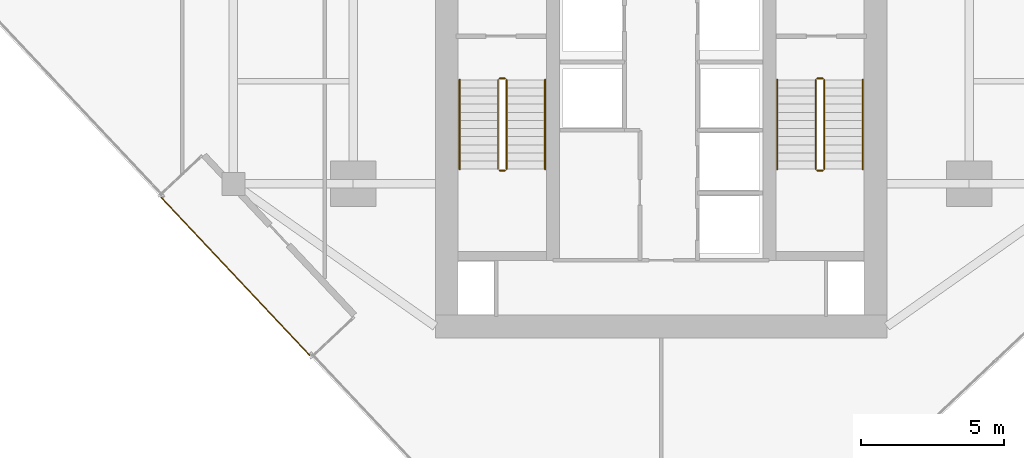
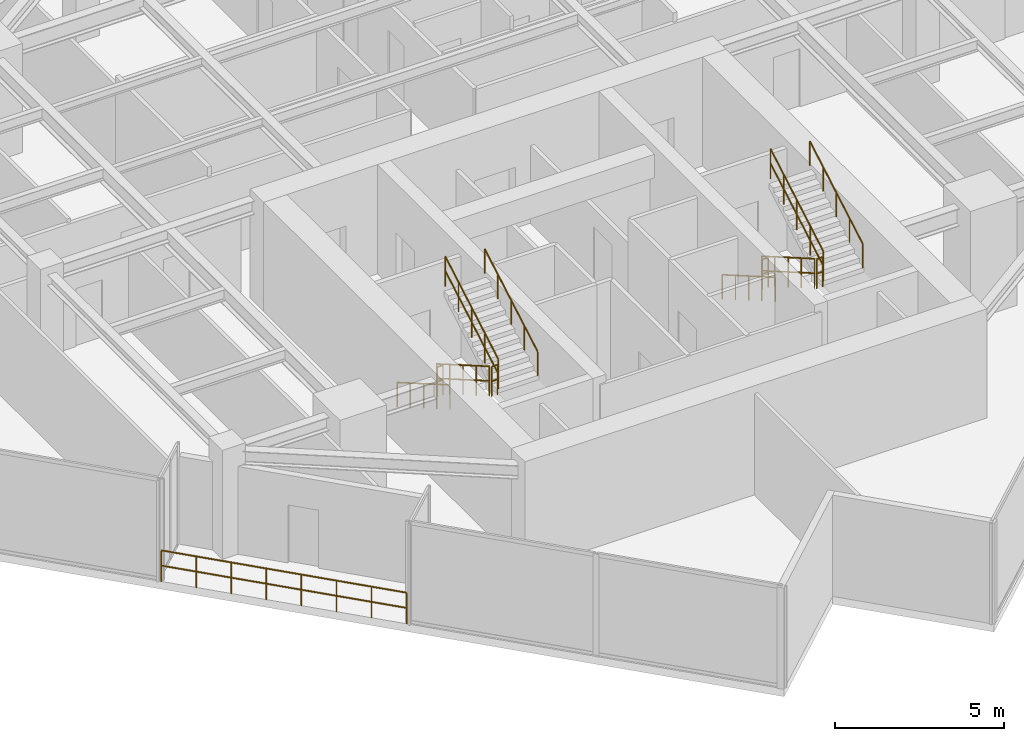
# One storey, part 23 of 24: 13 railings.
"""IFC4 building model written with IfcOpenShell, lengths in metres."""

from ifc_helpers import new_model, si_unit, direction, frame, origin, origin_2d, place, context, subcontext, project, spatial, circle, extrude, material, layer, layer_set, type_object, element, save


model = new_model("IFC4")

# Units and contexts
model_context = context("Model", 3, precision=1e-05, world=origin(), true_north=direction((0.0, 1.0)))
body_context = subcontext(model_context, "Body", "Model", "MODEL_VIEW")
ifc_project = project(units=[si_unit("LENGTHUNIT", "METRE"), si_unit("AREAUNIT", "SQUARE_METRE"), si_unit("VOLUMEUNIT", "CUBIC_METRE"), si_unit("PLANEANGLEUNIT", "RADIAN"), si_unit("MASSUNIT", "GRAM", prefix="KILO")], contexts=[model_context])

# Site, building, storey
site_placement = place(None, origin())
site = spatial("IfcSite", under=ifc_project, at=site_placement, CompositionType="ELEMENT")
building_placement = place(site_placement, origin())
building = spatial("IfcBuilding", under=site, at=building_placement, Name="Krantzveldt Concourse Tower", CompositionType="ELEMENT")
storey_placement = place(building_placement, frame((0.0, 0.0, 246.800048828125)))
storey = spatial("IfcBuildingStorey", under=building, at=storey_placement, Name="L60", CompositionType="ELEMENT", Elevation=246.800048828125)

# Railings
ifc_material = material(Name="Stainless steel 316L", Category="steel")
ifc_layer_1 = layer(ifc_material, 0.080078125, Name="Stainless steel 316L", Category="steel")
ifc_layer_set_1 = layer_set([ifc_layer_1], Name="Stainless steel 316L (RL-BALUSTRADE-1150)")
railing_type_1 = type_object("IfcRailingType", Name="RL-BALUSTRADE-1150", PredefinedType="BALUSTRADE", material=ifc_layer_set_1)
railing_1_placement = place(storey_placement, frame((23.672119140625, 9.885986328125, 0.0)))
element("IfcRailing", 1, at=railing_1_placement, inside=storey, type_object=railing_type_1, Name="GD-L60-CTER-01", PredefinedType="BALUSTRADE", context=body_context, shape_type="SweptSolid", body=[
    extrude(circle(Radius=0.02392578125, at=origin_2d()), frame((0.0, 0.0, 1.1259765625), z_axis=(-0.685190329327, 0.728364065971, 0.0), x_axis=(-0.728364065971, -0.685190329327, 0.0)), (0.0, 0.0, 1.0), 7.60009765625),
    extrude(circle(Radius=0.02392578125, at=origin_2d()), frame((0.0, 0.0, 0.574951171875), z_axis=(-0.685190329327, 0.728364065971, 0.0), x_axis=(-0.728364065971, -0.685190329327, 0.0)), (0.0, 0.0, 1.0), 7.60009765625),
    extrude(circle(Radius=0.02099609375, at=origin_2d()), origin(), (0.0, 0.0, 1.0), 1.101806640625),
    extrude(circle(Radius=0.02099609375, at=origin_2d()), frame((-0.743896484375, 0.790771484375, 0.0)), (0.0, 0.0, 1.0), 1.101806640625),
    extrude(circle(Radius=0.02099609375, at=origin_2d()), frame((-1.48779296875, 1.58154296875, 0.0)), (0.0, 0.0, 1.0), 1.101806640625),
    extrude(circle(Radius=0.02099609375, at=origin_2d()), frame((-2.231689453125, 2.372314453125, 0.0)), (0.0, 0.0, 1.0), 1.101806640625),
    extrude(circle(Radius=0.02099609375, at=origin_2d()), frame((-2.975830078125, 3.163330078125, 0.0)), (0.0, 0.0, 1.0), 1.101806640625),
    extrude(circle(Radius=0.02099609375, at=origin_2d()), frame((-3.7197265625, 3.9541015625, 0.0)), (0.0, 0.0, 1.0), 1.101806640625),
    extrude(circle(Radius=0.02099609375, at=origin_2d()), frame((-4.463623046875, 4.744873046875, 0.0)), (0.0, 0.0, 1.0), 1.101806640625),
    extrude(circle(Radius=0.02099609375, at=origin_2d()), frame((-5.20751953125, 5.53564453125, 0.0)), (0.0, 0.0, 1.0), 1.101806640625),
])
ifc_layer_2 = layer(ifc_material, 0.06005859375, Name="Stainless steel 316L", Category="steel")
ifc_layer_set_2 = layer_set([ifc_layer_2], Name="Stainless steel 316L (RL-GUARD-1120)")
railing_type_2 = type_object("IfcRailingType", Name="RL-GUARD-1120", PredefinedType="GUARDRAIL", material=ifc_layer_set_2)
railing_2_placement = place(storey_placement, frame((30.280029296875, 19.550048828125, 0.16455078125)))
element("IfcRailing", 2, at=railing_2_placement, inside=storey, type_object=railing_type_2, Name="L60 ST-1 stair guard 1", PredefinedType="GUARDRAIL", context=body_context, shape_type="SweptSolid", body=[
    extrude(circle(Radius=0.02392578125, at=origin_2d()), frame((0.0, 0.0, 1.076171875), z_axis=(0.0, -0.865989039225, 0.500062979975), x_axis=(1.0, 0.0, 0.0)), (0.0, 0.0, 1.0), 3.6201171875),
    extrude(circle(Radius=0.02392578125, at=origin_2d()), frame((0.0, 0.0, 0.550048828125), z_axis=(0.0, -0.865989039225, 0.500062979975), x_axis=(1.0, 0.0, 0.0)), (0.0, 0.0, 1.0), 3.6201171875),
    extrude(circle(Radius=0.02099609375, at=origin_2d()), origin(), (0.0, 0.0, 1.0), 1.052001953125),
    extrude(circle(Radius=0.02099609375, at=origin_2d()), frame((0.0, -0.78369140625, 0.45263671875)), (0.0, 0.0, 1.0), 1.052001953125),
    extrude(circle(Radius=0.02099609375, at=origin_2d()), frame((0.0, -1.5673828125, 0.9052734375)), (0.0, 0.0, 1.0), 1.052001953125),
    extrude(circle(Radius=0.02099609375, at=origin_2d()), frame((0.0, -2.351318359375, 1.357666015625)), (0.0, 0.0, 1.0), 1.052001953125),
    extrude(circle(Radius=0.02099609375, at=origin_2d()), frame((0.0, -3.135009765625, 1.810302734375)), (0.0, 0.0, 1.0), 1.052001953125),
])
railing_3_placement = place(storey_placement, frame((30.330078125, 16.364990234375, 1.974853515625)))
element("IfcRailing", 3, at=railing_3_placement, inside=storey, type_object=railing_type_2, Name="L60 ST-1 stair guard 2", PredefinedType="GUARDRAIL", context=body_context, shape_type="SweptSolid", body=[
    extrude(circle(Radius=0.02392578125, at=origin_2d()), frame((0.0, 0.0, 1.076171875), z_axis=(1.0, 0.0, 0.0), x_axis=(0.0, 1.0, 0.0)), (0.0, 0.0, 1.0), 0.199951171875),
    extrude(circle(Radius=0.02392578125, at=origin_2d()), frame((0.0, 0.0, 0.550048828125), z_axis=(1.0, 0.0, 0.0), x_axis=(0.0, 1.0, 0.0)), (0.0, 0.0, 1.0), 0.199951171875),
    extrude(circle(Radius=0.02099609375, at=origin_2d()), origin(), (0.0, 0.0, 1.0), 1.052001953125),
    extrude(circle(Radius=0.02099609375, at=origin_2d()), frame((0.199951171875, 0.0, 0.0)), (0.0, 0.0, 1.0), 1.052001953125),
])
railing_4_placement = place(storey_placement, frame((30.580078125, 16.4150390625, 2.1396484375)))
element("IfcRailing", 4, at=railing_4_placement, inside=storey, type_object=railing_type_2, Name="L60 ST-1 stair guard 3", PredefinedType="GUARDRAIL", context=body_context, shape_type="SweptSolid", body=[
    extrude(circle(Radius=0.02392578125, at=origin_2d()), frame((0.0, 0.0, 1.076171875), z_axis=(0.0, 0.865989039225, 0.500062979975), x_axis=(-1.0, 0.0, 0.0)), (0.0, 0.0, 1.0), 3.6201171875),
    extrude(circle(Radius=0.02392578125, at=origin_2d()), frame((0.0, 0.0, 0.550048828125), z_axis=(0.0, 0.865989039225, 0.500062979975), x_axis=(-1.0, 0.0, 0.0)), (0.0, 0.0, 1.0), 3.6201171875),
    extrude(circle(Radius=0.02099609375, at=origin_2d()), origin(), (0.0, 0.0, 1.0), 1.052001953125),
    extrude(circle(Radius=0.02099609375, at=origin_2d()), frame((0.0, 0.78369140625, 0.45263671875)), (0.0, 0.0, 1.0), 1.052001953125),
    extrude(circle(Radius=0.02099609375, at=origin_2d()), frame((0.0, 1.5673828125, 0.9052734375)), (0.0, 0.0, 1.0), 1.052001953125),
    extrude(circle(Radius=0.02099609375, at=origin_2d()), frame((0.0, 2.351318359375, 1.357666015625)), (0.0, 0.0, 1.0), 1.052001953125),
    extrude(circle(Radius=0.02099609375, at=origin_2d()), frame((0.0, 3.135009765625, 1.810302734375)), (0.0, 0.0, 1.0), 1.052001953125),
])
railing_5_placement = place(storey_placement, frame((30.330078125, 19.60009765625, 0.0)))
element("IfcRailing", 5, at=railing_5_placement, inside=storey, type_object=railing_type_2, Name="L60 ST-1 stair guard 4", PredefinedType="GUARDRAIL", context=body_context, shape_type="SweptSolid", body=[
    extrude(circle(Radius=0.02392578125, at=origin_2d()), frame((0.0, 0.0, 1.076171875), z_axis=(1.0, 0.0, 0.0), x_axis=(0.0, 1.0, 0.0)), (0.0, 0.0, 1.0), 0.199951171875),
    extrude(circle(Radius=0.02392578125, at=origin_2d()), frame((0.0, 0.0, 0.550048828125), z_axis=(1.0, 0.0, 0.0), x_axis=(0.0, 1.0, 0.0)), (0.0, 0.0, 1.0), 0.199951171875),
    extrude(circle(Radius=0.02099609375, at=origin_2d()), origin(), (0.0, 0.0, 1.0), 1.052001953125),
    extrude(circle(Radius=0.02099609375, at=origin_2d()), frame((0.199951171875, 0.0, 0.0)), (0.0, 0.0, 1.0), 1.052001953125),
])
railing_6_placement = place(storey_placement, frame((41.419921875, 19.550048828125, 0.16455078125)))
element("IfcRailing", 6, at=railing_6_placement, inside=storey, type_object=railing_type_2, Name="L60 ST-2 stair guard 1", PredefinedType="GUARDRAIL", context=body_context, shape_type="SweptSolid", body=[
    extrude(circle(Radius=0.02392578125, at=origin_2d()), frame((0.0, 0.0, 1.076171875), z_axis=(0.0, -0.865989039225, 0.500062979975), x_axis=(1.0, 0.0, 0.0)), (0.0, 0.0, 1.0), 3.6201171875),
    extrude(circle(Radius=0.02392578125, at=origin_2d()), frame((0.0, 0.0, 0.550048828125), z_axis=(0.0, -0.865989039225, 0.500062979975), x_axis=(1.0, 0.0, 0.0)), (0.0, 0.0, 1.0), 3.6201171875),
    extrude(circle(Radius=0.02099609375, at=origin_2d()), origin(), (0.0, 0.0, 1.0), 1.052001953125),
    extrude(circle(Radius=0.02099609375, at=origin_2d()), frame((0.0, -0.78369140625, 0.45263671875)), (0.0, 0.0, 1.0), 1.052001953125),
    extrude(circle(Radius=0.02099609375, at=origin_2d()), frame((0.0, -1.5673828125, 0.9052734375)), (0.0, 0.0, 1.0), 1.052001953125),
    extrude(circle(Radius=0.02099609375, at=origin_2d()), frame((0.0, -2.351318359375, 1.357666015625)), (0.0, 0.0, 1.0), 1.052001953125),
    extrude(circle(Radius=0.02099609375, at=origin_2d()), frame((0.0, -3.135009765625, 1.810302734375)), (0.0, 0.0, 1.0), 1.052001953125),
])
railing_7_placement = place(storey_placement, frame((41.469970703125, 16.364990234375, 1.974853515625)))
element("IfcRailing", 7, at=railing_7_placement, inside=storey, type_object=railing_type_2, Name="L60 ST-2 stair guard 2", PredefinedType="GUARDRAIL", context=body_context, shape_type="SweptSolid", body=[
    extrude(circle(Radius=0.02392578125, at=origin_2d()), frame((0.0, 0.0, 1.076171875), z_axis=(1.0, 0.0, 0.0), x_axis=(0.0, 1.0, 0.0)), (0.0, 0.0, 1.0), 0.199951171875),
    extrude(circle(Radius=0.02392578125, at=origin_2d()), frame((0.0, 0.0, 0.550048828125), z_axis=(1.0, 0.0, 0.0), x_axis=(0.0, 1.0, 0.0)), (0.0, 0.0, 1.0), 0.199951171875),
    extrude(circle(Radius=0.02099609375, at=origin_2d()), origin(), (0.0, 0.0, 1.0), 1.052001953125),
    extrude(circle(Radius=0.02099609375, at=origin_2d()), frame((0.199951171875, 0.0, 0.0)), (0.0, 0.0, 1.0), 1.052001953125),
])
railing_8_placement = place(storey_placement, frame((41.719970703125, 16.4150390625, 2.1396484375)))
element("IfcRailing", 8, at=railing_8_placement, inside=storey, type_object=railing_type_2, Name="L60 ST-2 stair guard 3", PredefinedType="GUARDRAIL", context=body_context, shape_type="SweptSolid", body=[
    extrude(circle(Radius=0.02392578125, at=origin_2d()), frame((0.0, 0.0, 1.076171875), z_axis=(0.0, 0.865989039225, 0.500062979975), x_axis=(-1.0, 0.0, 0.0)), (0.0, 0.0, 1.0), 3.6201171875),
    extrude(circle(Radius=0.02392578125, at=origin_2d()), frame((0.0, 0.0, 0.550048828125), z_axis=(0.0, 0.865989039225, 0.500062979975), x_axis=(-1.0, 0.0, 0.0)), (0.0, 0.0, 1.0), 3.6201171875),
    extrude(circle(Radius=0.02099609375, at=origin_2d()), origin(), (0.0, 0.0, 1.0), 1.052001953125),
    extrude(circle(Radius=0.02099609375, at=origin_2d()), frame((0.0, 0.78369140625, 0.45263671875)), (0.0, 0.0, 1.0), 1.052001953125),
    extrude(circle(Radius=0.02099609375, at=origin_2d()), frame((0.0, 1.5673828125, 0.9052734375)), (0.0, 0.0, 1.0), 1.052001953125),
    extrude(circle(Radius=0.02099609375, at=origin_2d()), frame((0.0, 2.351318359375, 1.357666015625)), (0.0, 0.0, 1.0), 1.052001953125),
    extrude(circle(Radius=0.02099609375, at=origin_2d()), frame((0.0, 3.135009765625, 1.810302734375)), (0.0, 0.0, 1.0), 1.052001953125),
])
railing_9_placement = place(storey_placement, frame((41.469970703125, 19.60009765625, 0.0)))
element("IfcRailing", 9, at=railing_9_placement, inside=storey, type_object=railing_type_2, Name="L60 ST-2 stair guard 4", PredefinedType="GUARDRAIL", context=body_context, shape_type="SweptSolid", body=[
    extrude(circle(Radius=0.02392578125, at=origin_2d()), frame((0.0, 0.0, 1.076171875), z_axis=(1.0, 0.0, 0.0), x_axis=(0.0, 1.0, 0.0)), (0.0, 0.0, 1.0), 0.199951171875),
    extrude(circle(Radius=0.02392578125, at=origin_2d()), frame((0.0, 0.0, 0.550048828125), z_axis=(1.0, 0.0, 0.0), x_axis=(0.0, 1.0, 0.0)), (0.0, 0.0, 1.0), 0.199951171875),
    extrude(circle(Radius=0.02099609375, at=origin_2d()), origin(), (0.0, 0.0, 1.0), 1.052001953125),
    extrude(circle(Radius=0.02099609375, at=origin_2d()), frame((0.199951171875, 0.0, 0.0)), (0.0, 0.0, 1.0), 1.052001953125),
])
ifc_layer_3 = layer(ifc_material, 0.050048828125, Name="Stainless steel 316L", Category="steel")
ifc_layer_set_3 = layer_set([ifc_layer_3], Name="Stainless steel 316L (RL-HANDRAIL-920)")
railing_type_3 = type_object("IfcRailingType", Name="RL-HANDRAIL-920", PredefinedType="HANDRAIL", material=ifc_layer_set_3)
railing_10_placement = place(storey_placement, frame((28.929931640625, 19.550048828125, 0.16455078125)))
element("IfcRailing", 10, at=railing_10_placement, inside=storey, type_object=railing_type_3, Name="L60 ST-1 stair handrail 1", PredefinedType="HANDRAIL", context=body_context, shape_type="SweptSolid", body=[
    extrude(circle(Radius=0.02392578125, at=origin_2d()), frame((0.0, 0.0, 0.8759765625), z_axis=(0.0, -0.865989039225, 0.500062979975), x_axis=(1.0, 0.0, 0.0)), (0.0, 0.0, 1.0), 3.6201171875),
    extrude(circle(Radius=0.02099609375, at=origin_2d()), origin(), (0.0, 0.0, 1.0), 0.851806640625),
    extrude(circle(Radius=0.02099609375, at=origin_2d()), frame((0.0, -0.78369140625, 0.45263671875)), (0.0, 0.0, 1.0), 0.851806640625),
    extrude(circle(Radius=0.02099609375, at=origin_2d()), frame((0.0, -1.5673828125, 0.9052734375)), (0.0, 0.0, 1.0), 0.851806640625),
    extrude(circle(Radius=0.02099609375, at=origin_2d()), frame((0.0, -2.351318359375, 1.357666015625)), (0.0, 0.0, 1.0), 0.851806640625),
    extrude(circle(Radius=0.02099609375, at=origin_2d()), frame((0.0, -3.135009765625, 1.810302734375)), (0.0, 0.0, 1.0), 0.851806640625),
])
railing_11_placement = place(storey_placement, frame((31.929931640625, 16.4150390625, 2.1396484375)))
element("IfcRailing", 11, at=railing_11_placement, inside=storey, type_object=railing_type_3, Name="L60 ST-1 stair handrail 2", PredefinedType="HANDRAIL", context=body_context, shape_type="SweptSolid", body=[
    extrude(circle(Radius=0.02392578125, at=origin_2d()), frame((0.0, 0.0, 0.8759765625), z_axis=(0.0, 0.865989039225, 0.500062979975), x_axis=(-1.0, 0.0, 0.0)), (0.0, 0.0, 1.0), 3.6201171875),
    extrude(circle(Radius=0.02099609375, at=origin_2d()), origin(), (0.0, 0.0, 1.0), 0.851806640625),
    extrude(circle(Radius=0.02099609375, at=origin_2d()), frame((0.0, 0.78369140625, 0.45263671875)), (0.0, 0.0, 1.0), 0.851806640625),
    extrude(circle(Radius=0.02099609375, at=origin_2d()), frame((0.0, 1.5673828125, 0.9052734375)), (0.0, 0.0, 1.0), 0.851806640625),
    extrude(circle(Radius=0.02099609375, at=origin_2d()), frame((0.0, 2.351318359375, 1.357666015625)), (0.0, 0.0, 1.0), 0.851806640625),
    extrude(circle(Radius=0.02099609375, at=origin_2d()), frame((0.0, 3.135009765625, 1.810302734375)), (0.0, 0.0, 1.0), 0.851806640625),
])
railing_12_placement = place(storey_placement, frame((40.070068359375, 19.550048828125, 0.16455078125)))
element("IfcRailing", 12, at=railing_12_placement, inside=storey, type_object=railing_type_3, Name="L60 ST-2 stair handrail 1", PredefinedType="HANDRAIL", context=body_context, shape_type="SweptSolid", body=[
    extrude(circle(Radius=0.02392578125, at=origin_2d()), frame((0.0, 0.0, 0.8759765625), z_axis=(0.0, -0.865989039225, 0.500062979975), x_axis=(1.0, 0.0, 0.0)), (0.0, 0.0, 1.0), 3.6201171875),
    extrude(circle(Radius=0.02099609375, at=origin_2d()), origin(), (0.0, 0.0, 1.0), 0.851806640625),
    extrude(circle(Radius=0.02099609375, at=origin_2d()), frame((0.0, -0.78369140625, 0.45263671875)), (0.0, 0.0, 1.0), 0.851806640625),
    extrude(circle(Radius=0.02099609375, at=origin_2d()), frame((0.0, -1.5673828125, 0.9052734375)), (0.0, 0.0, 1.0), 0.851806640625),
    extrude(circle(Radius=0.02099609375, at=origin_2d()), frame((0.0, -2.351318359375, 1.357666015625)), (0.0, 0.0, 1.0), 0.851806640625),
    extrude(circle(Radius=0.02099609375, at=origin_2d()), frame((0.0, -3.135009765625, 1.810302734375)), (0.0, 0.0, 1.0), 0.851806640625),
])
railing_13_placement = place(storey_placement, frame((43.070068359375, 16.4150390625, 2.1396484375)))
element("IfcRailing", 13, at=railing_13_placement, inside=storey, type_object=railing_type_3, Name="L60 ST-2 stair handrail 2", PredefinedType="HANDRAIL", context=body_context, shape_type="SweptSolid", body=[
    extrude(circle(Radius=0.02392578125, at=origin_2d()), frame((0.0, 0.0, 0.8759765625), z_axis=(0.0, 0.865989039225, 0.500062979975), x_axis=(-1.0, 0.0, 0.0)), (0.0, 0.0, 1.0), 3.6201171875),
    extrude(circle(Radius=0.02099609375, at=origin_2d()), origin(), (0.0, 0.0, 1.0), 0.851806640625),
    extrude(circle(Radius=0.02099609375, at=origin_2d()), frame((0.0, 0.78369140625, 0.45263671875)), (0.0, 0.0, 1.0), 0.851806640625),
    extrude(circle(Radius=0.02099609375, at=origin_2d()), frame((0.0, 1.5673828125, 0.9052734375)), (0.0, 0.0, 1.0), 0.851806640625),
    extrude(circle(Radius=0.02099609375, at=origin_2d()), frame((0.0, 2.351318359375, 1.357666015625)), (0.0, 0.0, 1.0), 0.851806640625),
    extrude(circle(Radius=0.02099609375, at=origin_2d()), frame((0.0, 3.135009765625, 1.810302734375)), (0.0, 0.0, 1.0), 0.851806640625),
])

save(model, "model.ifc")
